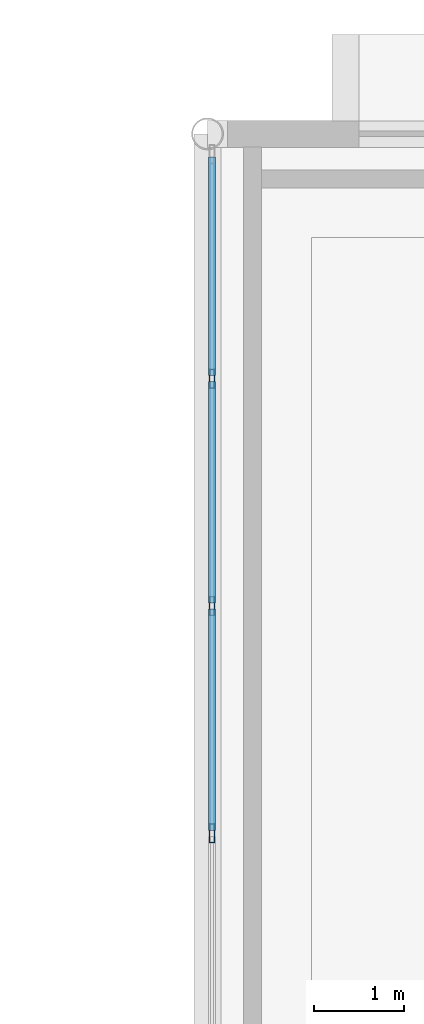
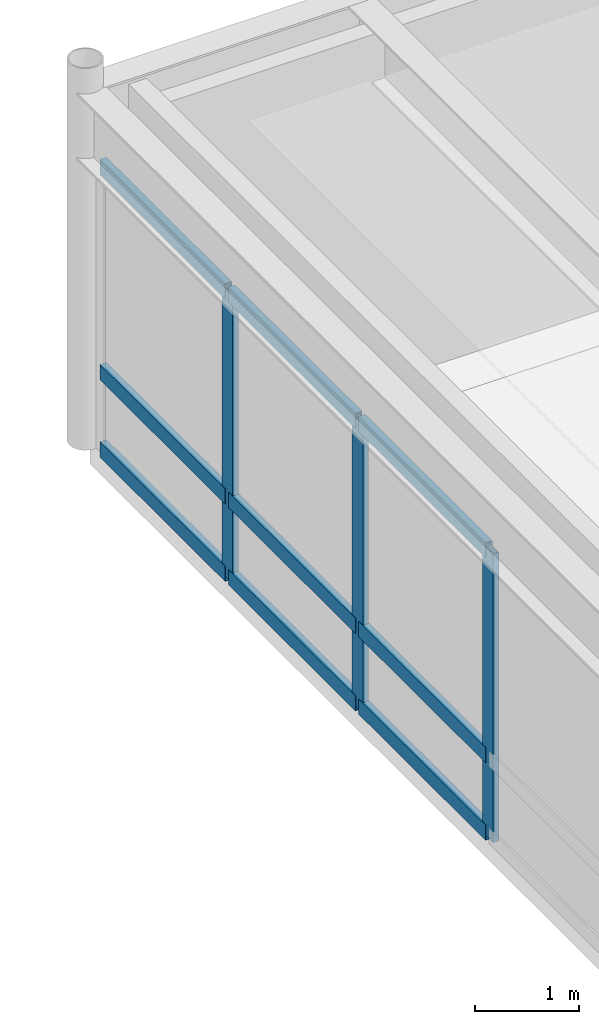
# One storey, part 76 of 127: 12 members, 1 element without a shape of its own.
"""IFC4 building model written with IfcOpenShell, lengths in metres."""

from ifc_helpers import new_model, si_unit, direction, frame, origin, origin_2d, place, context, subcontext, project, spatial, hollow_rectangle, extrude, material, layer, layer_set, material_profile, profile_set, type_object, element, aggregate, save


model = new_model("IFC4")

# Units and contexts
model_context = context("Model", 3, precision=1e-05, world=origin(), true_north=direction((0.0, 1.0)))
body_context = subcontext(model_context, "Body", "Model", "MODEL_VIEW")
ifc_project = project(units=[si_unit("LENGTHUNIT", "METRE"), si_unit("AREAUNIT", "SQUARE_METRE"), si_unit("VOLUMEUNIT", "CUBIC_METRE"), si_unit("PLANEANGLEUNIT", "RADIAN"), si_unit("MASSUNIT", "GRAM", prefix="KILO")], contexts=[model_context])

# Site, building, storey
site_placement = place(None, origin())
site = spatial("IfcSite", under=ifc_project, at=site_placement, CompositionType="ELEMENT")
building_placement = place(site_placement, origin())
building = spatial("IfcBuilding", under=site, at=building_placement, Name="Montelvaro Courts of Justice", CompositionType="ELEMENT")
storey_placement = place(building_placement, frame((0.0, 0.0, 5.39990234375)))
storey = spatial("IfcBuildingStorey", under=building, at=storey_placement, Name="L01", CompositionType="ELEMENT", Elevation=5.39990234375)

# Curtain wall, members
ifc_material = material(Name="Anodised aluminium EN AW-6063", Category="aluminium")
ifc_layer = layer(ifc_material, 0.159912109375)
ifc_layer_set = layer_set([ifc_layer], Name="Anodised aluminium EN AW-6063")
curtain_wall_type = type_object("IfcCurtainWallType", Name="CurtainWall_22_1761x418", PredefinedType="USERDEFINED", material=ifc_layer_set)
curtain_wall_placement = place(storey_placement, origin())
curtain_wall = element("IfcCurtainWall", 1, at=curtain_wall_placement, inside=storey, type_object=curtain_wall_type, Name="Curtain Wall CW-22 (L01)", ObjectType="CURTAIN WALL", PredefinedType="USERDEFINED")
ifc_material_profile_1 = material_profile(ifc_material, hollow_rectangle(XDim=0.06494140625, YDim=0.2099609375, WallThickness=0.0048828125, at=origin_2d()), Name="ALU-M 65x210")
ifc_profile_set_1 = profile_set([ifc_material_profile_1], Name="Anodised aluminium EN AW-6063")
member_type_1 = type_object("IfcMemberType", Name="CurtainWall_Mullion_65x210", PredefinedType="MULLION", material=ifc_profile_set_1)
member_1_placement = place(storey_placement, frame((99.050048828125, 93.290771484375, 0.0), z_axis=(0.0, 0.0, 1.0), x_axis=(1.0, 0.0, 0.0)))
member_1 = element("IfcMember", 2, at=member_1_placement, type_object=member_type_1, Name="CW-22 mullion 2", PredefinedType="MULLION", context=body_context, shape_type="SweptSolid", body=[
    extrude(hollow_rectangle(XDim=0.06494140625, YDim=0.2099609375, WallThickness=0.0048828125, at=origin_2d()), origin(), (0.0, 0.0, 1.0), 3.405029296875),
])
member_2_placement = place(storey_placement, frame((99.050048828125, 90.7744140625, 0.0), z_axis=(0.0, 0.0, 1.0), x_axis=(1.0, 0.0, 0.0)))
member_2 = element("IfcMember", 3, at=member_2_placement, type_object=member_type_1, Name="CW-22 mullion 3", PredefinedType="MULLION", context=body_context, shape_type="SweptSolid", body=[
    extrude(hollow_rectangle(XDim=0.06494140625, YDim=0.2099609375, WallThickness=0.0048828125, at=origin_2d()), origin(), (0.0, 0.0, 1.0), 3.405029296875),
])
member_3_placement = place(storey_placement, frame((99.050048828125, 88.258056640625, 0.0), z_axis=(0.0, 0.0, 1.0), x_axis=(1.0, 0.0, 0.0)))
member_3 = element("IfcMember", 4, at=member_3_placement, type_object=member_type_1, Name="CW-22 mullion 4", PredefinedType="MULLION", context=body_context, shape_type="SweptSolid", body=[
    extrude(hollow_rectangle(XDim=0.06494140625, YDim=0.2099609375, WallThickness=0.0048828125, at=origin_2d()), origin(), (0.0, 0.0, 1.0), 3.405029296875),
])
ifc_material_profile_2 = material_profile(ifc_material, hollow_rectangle(XDim=0.074951171875, YDim=0.179931640625, WallThickness=0.0048828125, at=origin_2d()), Name="ALU-T 75x180")
ifc_profile_set_2 = profile_set([ifc_material_profile_2], Name="Anodised aluminium EN AW-6063")
member_type_2 = type_object("IfcMemberType", Name="CurtainWall_Transom_75x180", PredefinedType="USERDEFINED", material=ifc_profile_set_2)
member_4_placement = place(storey_placement, frame((99.050048828125, 95.7421875, 0.03759765625), z_axis=(0.0, -1.0, 0.0), x_axis=(1.0, 0.0, 0.0)))
member_4 = element("IfcMember", 5, at=member_4_placement, type_object=member_type_2, Name="CW-22 transom 1.1", ObjectType="TRANSOM", PredefinedType="USERDEFINED", context=body_context, shape_type="SweptSolid", body=[
    extrude(hollow_rectangle(XDim=0.074951171875, YDim=0.179931640625, WallThickness=0.0048828125, at=origin_2d()), origin(), (0.0, 0.0, 1.0), 2.4189453125),
])
member_5_placement = place(storey_placement, frame((99.050048828125, 95.7421875, 0.9501953125), z_axis=(0.0, -1.0, 0.0), x_axis=(1.0, 0.0, 0.0)))
member_5 = element("IfcMember", 6, at=member_5_placement, type_object=member_type_2, Name="CW-22 transom 1.2", ObjectType="TRANSOM", PredefinedType="USERDEFINED", context=body_context, shape_type="SweptSolid", body=[
    extrude(hollow_rectangle(XDim=0.074951171875, YDim=0.179931640625, WallThickness=0.0048828125, at=origin_2d()), origin(), (0.0, 0.0, 1.0), 2.4189453125),
])
member_6_placement = place(storey_placement, frame((99.050048828125, 95.7421875, 3.36767578125), z_axis=(0.0, -1.0, 0.0), x_axis=(1.0, 0.0, 0.0)))
member_6 = element("IfcMember", 7, at=member_6_placement, type_object=member_type_2, Name="CW-22 transom 1.3", ObjectType="TRANSOM", PredefinedType="USERDEFINED", context=body_context, shape_type="SweptSolid", body=[
    extrude(hollow_rectangle(XDim=0.074951171875, YDim=0.179931640625, WallThickness=0.0048828125, at=origin_2d()), origin(), (0.0, 0.0, 1.0), 2.4189453125),
])
member_7_placement = place(storey_placement, frame((99.050048828125, 93.25830078125, 0.03759765625), z_axis=(0.0, -1.0, 0.0), x_axis=(1.0, 0.0, 0.0)))
member_7 = element("IfcMember", 8, at=member_7_placement, type_object=member_type_2, Name="CW-22 transom 2.1", ObjectType="TRANSOM", PredefinedType="USERDEFINED", context=body_context, shape_type="SweptSolid", body=[
    extrude(hollow_rectangle(XDim=0.074951171875, YDim=0.179931640625, WallThickness=0.0048828125, at=origin_2d()), origin(), (0.0, 0.0, 1.0), 2.451171875),
])
member_8_placement = place(storey_placement, frame((99.050048828125, 93.25830078125, 0.9501953125), z_axis=(0.0, -1.0, 0.0), x_axis=(1.0, 0.0, 0.0)))
member_8 = element("IfcMember", 9, at=member_8_placement, type_object=member_type_2, Name="CW-22 transom 2.2", ObjectType="TRANSOM", PredefinedType="USERDEFINED", context=body_context, shape_type="SweptSolid", body=[
    extrude(hollow_rectangle(XDim=0.074951171875, YDim=0.179931640625, WallThickness=0.0048828125, at=origin_2d()), origin(), (0.0, 0.0, 1.0), 2.451171875),
])
member_9_placement = place(storey_placement, frame((99.050048828125, 93.25830078125, 3.36767578125), z_axis=(0.0, -1.0, 0.0), x_axis=(1.0, 0.0, 0.0)))
member_9 = element("IfcMember", 10, at=member_9_placement, type_object=member_type_2, Name="CW-22 transom 2.3", ObjectType="TRANSOM", PredefinedType="USERDEFINED", context=body_context, shape_type="SweptSolid", body=[
    extrude(hollow_rectangle(XDim=0.074951171875, YDim=0.179931640625, WallThickness=0.0048828125, at=origin_2d()), origin(), (0.0, 0.0, 1.0), 2.451171875),
])
member_10_placement = place(storey_placement, frame((99.050048828125, 90.741943359375, 0.03759765625), z_axis=(0.0, -1.0, 0.0), x_axis=(1.0, 0.0, 0.0)))
member_10 = element("IfcMember", 11, at=member_10_placement, type_object=member_type_2, Name="CW-22 transom 3.1", ObjectType="TRANSOM", PredefinedType="USERDEFINED", context=body_context, shape_type="SweptSolid", body=[
    extrude(hollow_rectangle(XDim=0.074951171875, YDim=0.179931640625, WallThickness=0.0048828125, at=origin_2d()), origin(), (0.0, 0.0, 1.0), 2.451171875),
])
member_11_placement = place(storey_placement, frame((99.050048828125, 90.741943359375, 0.9501953125), z_axis=(0.0, -1.0, 0.0), x_axis=(1.0, 0.0, 0.0)))
member_11 = element("IfcMember", 12, at=member_11_placement, type_object=member_type_2, Name="CW-22 transom 3.2", ObjectType="TRANSOM", PredefinedType="USERDEFINED", context=body_context, shape_type="SweptSolid", body=[
    extrude(hollow_rectangle(XDim=0.074951171875, YDim=0.179931640625, WallThickness=0.0048828125, at=origin_2d()), origin(), (0.0, 0.0, 1.0), 2.451171875),
])
member_12_placement = place(storey_placement, frame((99.050048828125, 90.741943359375, 3.36767578125), z_axis=(0.0, -1.0, 0.0), x_axis=(1.0, 0.0, 0.0)))
member_12 = element("IfcMember", 13, at=member_12_placement, type_object=member_type_2, Name="CW-22 transom 3.3", ObjectType="TRANSOM", PredefinedType="USERDEFINED", context=body_context, shape_type="SweptSolid", body=[
    extrude(hollow_rectangle(XDim=0.074951171875, YDim=0.179931640625, WallThickness=0.0048828125, at=origin_2d()), origin(), (0.0, 0.0, 1.0), 2.451171875),
])
aggregate(curtain_wall, [member_1, member_2, member_3, member_4, member_5, member_6, member_7, member_8, member_9, member_10, member_11, member_12])

save(model, "model.ifc")
